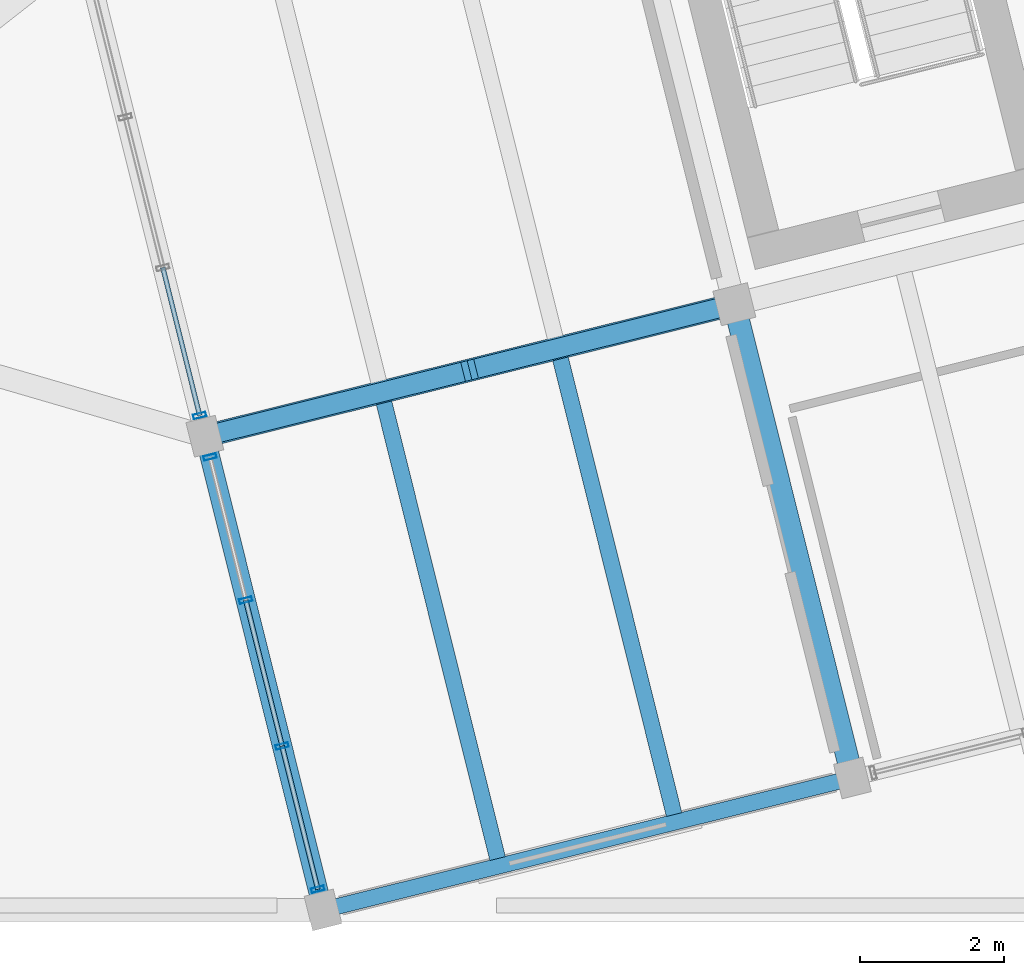
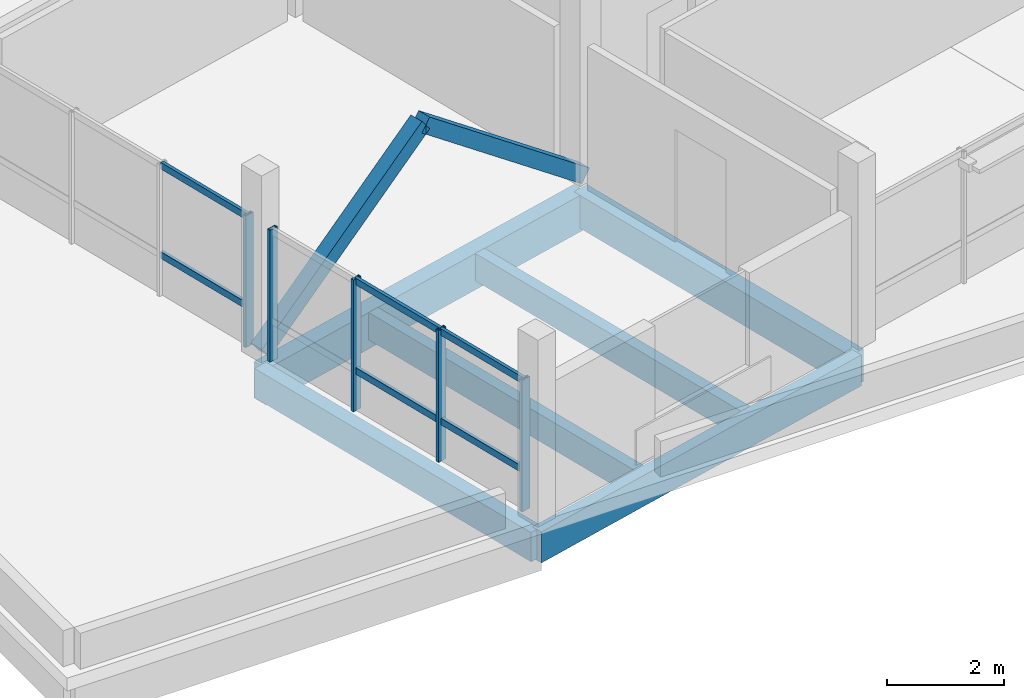
# One storey, part 2 of 37: 13 members, 6 beams, 2 elements without a shape of their own.
"""IFC4 building model written with IfcOpenShell, lengths in metres."""

from ifc_helpers import new_model, si_unit, direction, frame, origin, origin_2d, place, context, subcontext, project, spatial, rectangle, hollow_rectangle, extrude, material, layer, layer_set, material_profile, profile_set, type_object, element, aggregate, save


model = new_model("IFC4")

# Units and contexts
model_context = context("Model", 3, precision=1e-05, world=origin(), true_north=direction((0.0, 1.0)))
body_context = subcontext(model_context, "Body", "Model", "MODEL_VIEW")
ifc_project = project(units=[si_unit("LENGTHUNIT", "METRE"), si_unit("AREAUNIT", "SQUARE_METRE"), si_unit("VOLUMEUNIT", "CUBIC_METRE"), si_unit("PLANEANGLEUNIT", "RADIAN"), si_unit("MASSUNIT", "GRAM", prefix="KILO")], contexts=[model_context])

# Site, building, storey
site_placement = place(None, origin())
site = spatial("IfcSite", under=ifc_project, at=site_placement, CompositionType="ELEMENT")
building_placement = place(site_placement, origin())
building = spatial("IfcBuilding", under=site, at=building_placement, Name="Meriwether Solvik Hall", CompositionType="ELEMENT")
storey_placement = place(building_placement, frame((0.0, 0.0, 26.10009765625)))
storey = spatial("IfcBuildingStorey", under=building, at=storey_placement, Name="L06", CompositionType="ELEMENT", Elevation=26.10009765625)

# Beams
ifc_material_1 = material(Name="Glulam Douglas-Fir 24F-V8 GL28h", Category="wood")
ifc_material_profile_1 = material_profile(ifc_material_1, rectangle(XDim=0.221923828125, YDim=0.64501953125, at=origin_2d()), Name="GLB-222X645")
ifc_profile_set_1 = profile_set([ifc_material_profile_1], Name="Glulam Douglas-Fir 24F-V8 GL28h")
beam_type_1 = type_object("IfcBeamType", Name="BM-GL-222X645", PredefinedType="SPANDREL", material=ifc_profile_set_1)
beam_1_placement = place(storey_placement, frame((68.60009765625, 41.199951171875, -0.592529296875), z_axis=(0.970295366785, 0.241923337436, 0.0), x_axis=(-0.241923337436, 0.970295366785, 0.0)))
element("IfcBeam", 1, at=beam_1_placement, inside=storey, type_object=beam_type_1, Name="Tower Girder TA:T1-T2 (L06)", PredefinedType="SPANDREL", context=body_context, shape_type="SweptSolid", body=[
    extrude(rectangle(XDim=0.221923828125, YDim=0.64501953125, at=origin_2d()), origin(), (0.0, 0.0, 1.0), 7.60009765625),
])
ifc_material_2 = material(Name="Glulam Douglas-Fir 24F-V8 GL28h", Category="wood")
ifc_material_profile_2 = material_profile(ifc_material_2, rectangle(XDim=0.27294921875, YDim=0.610107421875, at=origin_2d()), Name="GLB-273X610")
ifc_profile_set_2 = profile_set([ifc_material_profile_2], Name="Glulam Douglas-Fir 24F-V8 GL28h")
beam_type_2 = type_object("IfcBeamType", Name="BM-GL-273X610", PredefinedType="SPANDREL", material=ifc_profile_set_2)
beam_2_placement = place(storey_placement, frame((68.60009765625, 41.199951171875, -0.5751953125), z_axis=(-0.241944251278, 0.970290152106, 0.0), x_axis=(-0.970290152106, -0.241944251278, 0.0)))
element("IfcBeam", 2, at=beam_2_placement, inside=storey, type_object=beam_type_2, Name="Tower Girder T1:TA-TB (L06)", PredefinedType="SPANDREL", context=body_context, shape_type="SweptSolid", body=[
    extrude(rectangle(XDim=0.27294921875, YDim=0.610107421875, at=origin_2d()), origin(), (0.0, 0.0, 1.0), 6.80029296875),
])
ifc_material_3 = material(Name="Glulam Douglas-Fir 24F-V8 GL28h", Category="wood")
ifc_material_profile_3 = material_profile(ifc_material_3, rectangle(XDim=0.31494140625, YDim=0.68505859375, at=origin_2d()), Name="GLB-315X685")
ifc_profile_set_3 = profile_set([ifc_material_profile_3], Name="Glulam Douglas-Fir 24F-V8 GL28h")
beam_type_3 = type_object("IfcBeamType", Name="BM-GL-315X685", PredefinedType="BEAM", material=ifc_profile_set_3)
beam_3_placement = place(storey_placement, frame((75.974365234375, 43.03857421875, -0.612548828125), z_axis=(-0.241944251278, 0.970290152106, 0.0), x_axis=(-0.970290152106, -0.241944251278, 0.0)))
element("IfcBeam", 3, at=beam_3_placement, inside=storey, type_object=beam_type_3, Name="Tower Girder T2:TA-TB (L06)", PredefinedType="BEAM", context=body_context, shape_type="SweptSolid", body=[
    extrude(rectangle(XDim=0.31494140625, YDim=0.68505859375, at=origin_2d()), origin(), (0.0, 0.0, 1.0), 6.80029296875),
])
ifc_material_4 = material(Name="Glulam Douglas-Fir 24F-V8 GL28h", Category="wood")
ifc_material_profile_4 = material_profile(ifc_material_4, rectangle(XDim=0.31494140625, YDim=0.760009765625, at=origin_2d()), Name="GLB-315X760")
ifc_profile_set_4 = profile_set([ifc_material_profile_4], Name="Glulam Douglas-Fir 24F-V8 GL28h")
beam_type_4 = type_object("IfcBeamType", Name="BM-GL-315X760", PredefinedType="BEAM", material=ifc_profile_set_4)
beam_4_placement = place(storey_placement, frame((66.954833984375, 47.798095703125, -0.650146484375), z_axis=(0.970295366785, 0.241923337436, 0.0), x_axis=(-0.241923337436, 0.970295366785, 0.0)))
element("IfcBeam", 4, at=beam_4_placement, inside=storey, type_object=beam_type_4, Name="Tower Girder TB:T1-T2 (L06)", PredefinedType="BEAM", context=body_context, shape_type="SweptSolid", body=[
    extrude(rectangle(XDim=0.31494140625, YDim=0.760009765625, at=origin_2d()), origin(), (0.0, 0.0, 1.0), 7.60009765625),
])

# Curtain wall, members
ifc_material_5 = material(Name="Thermally Broken Anodised Aluminium 6063-T6 and Low-E Glass", Category="aluminium")
ifc_layer_1 = layer(ifc_material_5, 0.179931640625)
ifc_layer_set_1 = layer_set([ifc_layer_1], Name="Thermally Broken Anodised Aluminium 6063-T6 and Low-E Glass")
curtain_wall_type_1 = type_object("IfcCurtainWallType", Name="CW-UNIT-B", PredefinedType="USERDEFINED", material=ifc_layer_set_1)
curtain_wall_1_placement = place(storey_placement, origin())
curtain_wall_1 = element("IfcCurtainWall", 5, at=curtain_wall_1_placement, inside=storey, type_object=curtain_wall_type_1, Name="Curtain Wall E5_B0 (L06)", ObjectType="UNITISED CURTAIN WALL", PredefinedType="USERDEFINED")
ifc_material_6 = material(Name="Anodised Aluminium 6063-T6", Category="aluminium")
ifc_material_profile_5 = material_profile(ifc_material_6, hollow_rectangle(XDim=0.06494140625, YDim=0.179931640625, WallThickness=0.00439453125, at=origin_2d()), Name="CWM-65X180")
ifc_profile_set_5 = profile_set([ifc_material_profile_5], Name="Anodised Aluminium 6063-T6")
member_type_1 = type_object("IfcMemberType", Name="CW-MUL-65X180", PredefinedType="MULLION", material=ifc_profile_set_5)
member_1_placement = place(storey_placement, frame((68.528076171875, 41.48876953125, 0.0), z_axis=(0.0, 0.0, 1.0), x_axis=(-0.241921848775, 0.970295737951, 0.0)))
member_1 = element("IfcMember", 6, at=member_1_placement, type_object=member_type_1, Name="Curtain Wall Mullion 1", PredefinedType="MULLION", context=body_context, shape_type="SweptSolid", body=[
    extrude(hollow_rectangle(XDim=0.06494140625, YDim=0.179931640625, WallThickness=0.00439453125, at=origin_2d()), origin(), (0.0, 0.0, 1.0), 2.75),
])
member_2_placement = place(storey_placement, frame((68.03076171875, 43.483154296875, 0.0), z_axis=(0.0, 0.0, 1.0), x_axis=(-0.241921848775, 0.970295737951, 0.0)))
member_2 = element("IfcMember", 7, at=member_2_placement, type_object=member_type_1, Name="Curtain Wall Mullion 2", PredefinedType="MULLION", context=body_context, shape_type="SweptSolid", body=[
    extrude(hollow_rectangle(XDim=0.06494140625, YDim=0.179931640625, WallThickness=0.00439453125, at=origin_2d()), origin(), (0.0, 0.0, 1.0), 2.75),
])
member_3_placement = place(storey_placement, frame((67.524169921875, 45.5146484375, 0.0), z_axis=(0.0, 0.0, 1.0), x_axis=(-0.241921848775, 0.970295737951, 0.0)))
member_3 = element("IfcMember", 8, at=member_3_placement, type_object=member_type_1, Name="Curtain Wall Mullion 3", PredefinedType="MULLION", context=body_context, shape_type="SweptSolid", body=[
    extrude(hollow_rectangle(XDim=0.06494140625, YDim=0.179931640625, WallThickness=0.00439453125, at=origin_2d()), origin(), (0.0, 0.0, 1.0), 2.75),
])
member_4_placement = place(storey_placement, frame((67.02685546875, 47.50927734375, 0.0), z_axis=(0.0, 0.0, 1.0), x_axis=(-0.241921848775, 0.970295737951, 0.0)))
member_4 = element("IfcMember", 9, at=member_4_placement, type_object=member_type_1, Name="Curtain Wall Mullion 4", PredefinedType="MULLION", context=body_context, shape_type="SweptSolid", body=[
    extrude(hollow_rectangle(XDim=0.06494140625, YDim=0.179931640625, WallThickness=0.00439453125, at=origin_2d()), origin(), (0.0, 0.0, 1.0), 2.75),
])

# Curtain wall, member
ifc_material_7 = material(Name="Thermally Broken Anodised Aluminium 6063-T6 and Low-E Glass", Category="aluminium")
ifc_layer_2 = layer(ifc_material_7, 0.179931640625)
ifc_layer_set_2 = layer_set([ifc_layer_2], Name="Thermally Broken Anodised Aluminium 6063-T6 and Low-E Glass")
curtain_wall_type_2 = type_object("IfcCurtainWallType", Name="CW-UNIT-C", PredefinedType="USERDEFINED", material=ifc_layer_set_2)
curtain_wall_2_placement = place(storey_placement, origin())
curtain_wall_2 = element("IfcCurtainWall", 10, at=curtain_wall_2_placement, inside=storey, type_object=curtain_wall_type_2, Name="Curtain Wall E5_B1 (L06)", ObjectType="UNITISED CURTAIN WALL", PredefinedType="USERDEFINED")
member_5_placement = place(storey_placement, frame((66.883056640625, 48.086669921875, 0.0), z_axis=(0.0, 0.0, 1.0), x_axis=(-0.241921800409, 0.97029575001, 0.0)))
member_5 = element("IfcMember", 11, at=member_5_placement, type_object=member_type_1, Name="Curtain Wall Mullion 1", PredefinedType="MULLION", context=body_context, shape_type="SweptSolid", body=[
    extrude(hollow_rectangle(XDim=0.06494140625, YDim=0.179931640625, WallThickness=0.00439453125, at=origin_2d()), origin(), (0.0, 0.0, 1.0), 2.75),
])

# Member
ifc_material_8 = material(Name="Anodised Aluminium 6063-T6", Category="aluminium")
ifc_material_profile_6 = material_profile(ifc_material_8, hollow_rectangle(XDim=0.06494140625, YDim=0.139892578125, WallThickness=0.00439453125, at=origin_2d()), Name="CWT-65X140")
ifc_profile_set_6 = profile_set([ifc_material_profile_6], Name="Anodised Aluminium 6063-T6")
member_type_2 = type_object("IfcMemberType", Name="CW-TRN-65X140", PredefinedType="USERDEFINED", material=ifc_profile_set_6)
member_6_placement = place(storey_placement, frame((68.528076171875, 41.48876953125, 0.824951171875), z_axis=(-0.241948682698, 0.970289047109, 0.0), x_axis=(-0.970289047109, -0.241948682698, 0.0)))
member_6 = element("IfcMember", 12, at=member_6_placement, type_object=member_type_2, Name="Curtain Wall Transom 1-sill", ObjectType="TRANSOM", PredefinedType="USERDEFINED", context=body_context, shape_type="SweptSolid", body=[
    extrude(hollow_rectangle(XDim=0.06494140625, YDim=0.139892578125, WallThickness=0.00439453125, at=origin_2d()), origin(), (0.0, 0.0, 1.0), 2.055419921875),
])

member_7_placement = place(storey_placement, frame((68.528076171875, 41.48876953125, 2.68994140625), z_axis=(-0.241948682698, 0.970289047109, 0.0), x_axis=(-0.970289047109, -0.241948682698, 0.0)))
member_7 = element("IfcMember", 13, at=member_7_placement, type_object=member_type_2, Name="Curtain Wall Transom 1-head", ObjectType="TRANSOM", PredefinedType="USERDEFINED", context=body_context, shape_type="SweptSolid", body=[
    extrude(hollow_rectangle(XDim=0.06494140625, YDim=0.139892578125, WallThickness=0.00439453125, at=origin_2d()), origin(), (0.0, 0.0, 1.0), 2.055419921875),
])

member_8_placement = place(storey_placement, frame((68.03076171875, 43.483154296875, 0.824951171875), z_axis=(-0.241959406779, 0.970286372918, 0.0), x_axis=(-0.970286372918, -0.241959406779, 0.0)))
member_8 = element("IfcMember", 14, at=member_8_placement, type_object=member_type_2, Name="Curtain Wall Transom 2-sill", ObjectType="TRANSOM", PredefinedType="USERDEFINED", context=body_context, shape_type="SweptSolid", body=[
    extrude(hollow_rectangle(XDim=0.06494140625, YDim=0.139892578125, WallThickness=0.00439453125, at=origin_2d()), origin(), (0.0, 0.0, 1.0), 2.09375),
])

member_9_placement = place(storey_placement, frame((68.03076171875, 43.483154296875, 2.68994140625), z_axis=(-0.241959406779, 0.970286372918, 0.0), x_axis=(-0.970286372918, -0.241959406779, 0.0)))
member_9 = element("IfcMember", 15, at=member_9_placement, type_object=member_type_2, Name="Curtain Wall Transom 2-head", ObjectType="TRANSOM", PredefinedType="USERDEFINED", context=body_context, shape_type="SweptSolid", body=[
    extrude(hollow_rectangle(XDim=0.06494140625, YDim=0.139892578125, WallThickness=0.00439453125, at=origin_2d()), origin(), (0.0, 0.0, 1.0), 2.09375),
])

aggregate(curtain_wall_1, [member_1, member_2, member_3, member_4, member_6, member_7, member_8, member_9])

member_10_placement = place(storey_placement, frame((66.883056640625, 48.086669921875, 0.824951171875), z_axis=(-0.241913047052, 0.970297932424, 0.0), x_axis=(-0.970297932424, -0.241913047052, 0.0)))
member_10 = element("IfcMember", 16, at=member_10_placement, type_object=member_type_2, Name="Curtain Wall Transom 1-sill", ObjectType="TRANSOM", PredefinedType="USERDEFINED", context=body_context, shape_type="SweptSolid", body=[
    extrude(hollow_rectangle(XDim=0.06494140625, YDim=0.139892578125, WallThickness=0.00439453125, at=origin_2d()), origin(), (0.0, 0.0, 1.0), 2.122314453125),
])

member_11_placement = place(storey_placement, frame((66.883056640625, 48.086669921875, 2.68994140625), z_axis=(-0.241913047052, 0.970297932424, 0.0), x_axis=(-0.970297932424, -0.241913047052, 0.0)))
member_11 = element("IfcMember", 17, at=member_11_placement, type_object=member_type_2, Name="Curtain Wall Transom 1-head", ObjectType="TRANSOM", PredefinedType="USERDEFINED", context=body_context, shape_type="SweptSolid", body=[
    extrude(hollow_rectangle(XDim=0.06494140625, YDim=0.139892578125, WallThickness=0.00439453125, at=origin_2d()), origin(), (0.0, 0.0, 1.0), 2.122314453125),
])

aggregate(curtain_wall_2, [member_5, member_10, member_11])

# Beams
ifc_material_9 = material(Name="Glulam Douglas-Fir 24F-V8 GL28h", Category="wood")
ifc_material_profile_7 = material_profile(ifc_material_9, rectangle(XDim=0.221923828125, YDim=0.570068359375, at=origin_2d()), Name="GLJ-222X570")
ifc_profile_set_7 = profile_set([ifc_material_profile_7], Name="Glulam Douglas-Fir 24F-V8 GL28h")
beam_type_5 = type_object("IfcBeamType", Name="JST-GL-222X570", PredefinedType="JOIST", material=ifc_profile_set_7)
for number, where, z_axis, x_axis, name in (
    (18, (71.032470703125, 41.915771484375, -0.55517578125), (-0.241920861923, 0.970295984, 0.0), (-0.970295984, -0.241920861923, 0.0), "Glulam Floor Joist T1/TA-J1 (L06)"),
    (19, (73.490478515625, 42.528564453125, -0.55517578125), (-0.241920861923, 0.970295984, 0.0), (-0.970295984, -0.241920861923, 0.0), "Glulam Floor Joist T1/TA-J2 (L06)"),
):
    element("IfcBeam", number, at=place(storey_placement, frame(where, z_axis=z_axis, x_axis=x_axis)), inside=storey, type_object=beam_type_5, Name=name, PredefinedType="JOIST", context=body_context, shape_type="SweptSolid", body=[
        extrude(rectangle(XDim=0.221923828125, YDim=0.570068359375, at=origin_2d()), origin(), (0.0, 0.0, 1.0), 6.54150390625),
    ])

# Members
ifc_material_10 = material(Name="Glulam Douglas-Fir 24F-V8 GL28h", Category="wood")
ifc_material_profile_8 = material_profile(ifc_material_10, rectangle(XDim=0.27294921875, YDim=0.304931640625, at=origin_2d()), Name="GLM-273X305")
ifc_profile_set_8 = profile_set([ifc_material_profile_8], Name="Glulam Douglas-Fir 24F-V8 GL28h")
member_type_3 = type_object("IfcMemberType", Name="MEM-BR-GL273", PredefinedType="BRACE", material=ifc_profile_set_8)
for number, where, z_axis, x_axis, name in (
    (20, (66.954833984375, 47.798095703125, 0.0498046875), (0.770358480609, 0.192041295073, 0.608003250272), (-0.241885553952, 0.970304786544, 0.0), "Tower Chevron Brace L06-B1A"),
    (21, (74.3291015625, 49.63671875, 0.0498046875), (-0.770330195322, -0.192097968188, 0.608021184494), (0.241961122321, -0.970285945114, 0.0), "Tower Chevron Brace L06-B1B"),
):
    element("IfcMember", number, at=place(storey_placement, frame(where, z_axis=z_axis, x_axis=x_axis)), inside=storey, type_object=member_type_3, Name=name, PredefinedType="BRACE", context=body_context, shape_type="SweptSolid", body=[
        extrude(rectangle(XDim=0.27294921875, YDim=0.304931640625, at=origin_2d()), origin(), (0.0, 0.0, 1.0), 4.786376953125),
    ])

save(model, "model.ifc")
